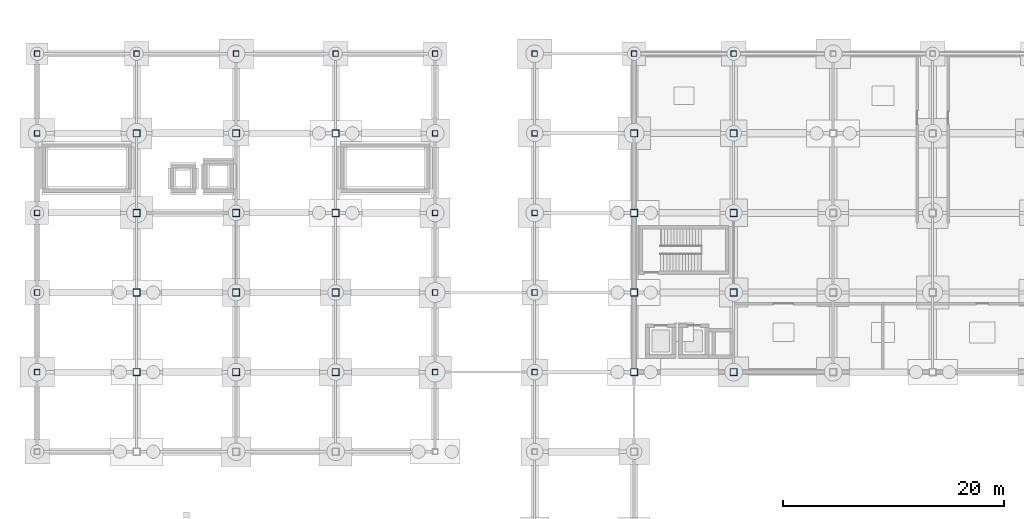
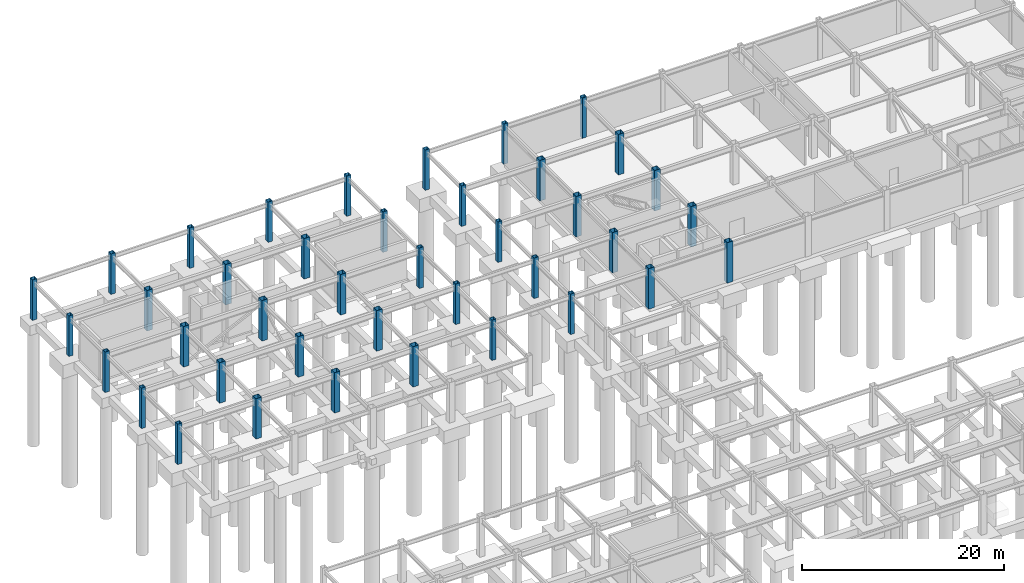
# One storey, part 14 of 28: 40 columns.
"""IFC4 building model written with IfcOpenShell, lengths in metres."""

from ifc_helpers import new_model, si_unit, direction, frame, origin, origin_2d, place, context, subcontext, project, spatial, hollow_rectangle, extrude, material, material_profile, profile_set, type_object, element, save


model = new_model("IFC4")

# Units and contexts
model_context = context("Model", 3, precision=1e-05, world=origin(), true_north=direction((0.0, 1.0)))
body_context = subcontext(model_context, "Body", "Model", "MODEL_VIEW")
ifc_project = project(units=[si_unit("LENGTHUNIT", "METRE"), si_unit("AREAUNIT", "SQUARE_METRE"), si_unit("VOLUMEUNIT", "CUBIC_METRE"), si_unit("PLANEANGLEUNIT", "RADIAN"), si_unit("MASSUNIT", "GRAM", prefix="KILO")], contexts=[model_context])

# Site, building, storey
site_placement = place(None, origin())
site = spatial("IfcSite", under=ifc_project, at=site_placement, CompositionType="ELEMENT")
building_placement = place(site_placement, origin())
building = spatial("IfcBuilding", under=site, at=building_placement, Name="Kazanami Central Library", CompositionType="ELEMENT")
storey_placement = place(building_placement, frame((0.0, 0.0, -4.89990234375)))
storey = spatial("IfcBuildingStorey", under=building, at=storey_placement, Name="B01", CompositionType="ELEMENT", Elevation=-4.89990234375)

# Columns
ifc_material = material(Name="Steel BCP325 (325 MPa)", Category="steel")
ifc_material_profile_1 = material_profile(ifc_material, hollow_rectangle(XDim=0.5, YDim=0.5, WallThickness=0.02197265625, at=origin_2d()), Name="BCP-500x500x22")
ifc_profile_set_1 = profile_set([ifc_material_profile_1], Name="Steel BCP325 (325 MPa)")
column_type_1 = type_object("IfcColumnType", Name="COL-C-P1E", PredefinedType="COLUMN", material=ifc_profile_set_1)
for number, where, z_axis, x_axis, name in (
    (1, (0.0, 64.800048828125, 0.0), (0.0, 0.0, 1.0), (1.0, 0.0, 0.0), "Column C-P1E B01 1/K"),
    (2, (0.0, 72.0, 0.0), (0.0, 0.0, 1.0), (1.0, 0.0, 0.0), "Column C-P1E B01 1/L"),
    (3, (0.0, 79.199951171875, 0.0), (0.0, 0.0, 1.0), (1.0, 0.0, 0.0), "Column C-P1E B01 1/M"),
    (4, (0.0, 86.39990234375, 0.0), (0.0, 0.0, 1.0), (1.0, 0.0, 0.0), "Column C-P1E B01 1/N"),
    (5, (0.0, 93.60009765625, 0.0), (0.0, 0.0, 1.0), (1.0, 0.0, 0.0), "Column C-P1E B01 1/O"),
    (6, (9.0, 93.60009765625, 0.0), (0.0, 0.0, 1.0), (1.0, 0.0, 0.0), "Column C-P1E B01 2/O"),
    (7, (18.0, 93.60009765625, 0.0), (0.0, 0.0, 1.0), (1.0, 0.0, 0.0), "Column C-P1E B01 3/O"),
    (8, (27.0, 93.60009765625, 0.0), (0.0, 0.0, 1.0), (1.0, 0.0, 0.0), "Column C-P1E B01 4/O"),
    (9, (36.0, 64.800048828125, 0.0), (0.0, 0.0, 1.0), (1.0, 0.0, 0.0), "Column C-P1E B01 5/K"),
    (10, (36.0, 72.0, 0.0), (0.0, 0.0, 1.0), (1.0, 0.0, 0.0), "Column C-P1E B01 5/L"),
    (11, (36.0, 79.199951171875, 0.0), (0.0, 0.0, 1.0), (1.0, 0.0, 0.0), "Column C-P1E B01 5/M"),
    (12, (36.0, 86.39990234375, 0.0), (0.0, 0.0, 1.0), (1.0, 0.0, 0.0), "Column C-P1E B01 5/N"),
    (13, (36.0, 93.60009765625, 0.0), (0.0, 0.0, 1.0), (1.0, 0.0, 0.0), "Column C-P1E B01 5/O"),
    (14, (45.0, 64.800048828125, 0.0), (0.0, 0.0, 1.0), (1.0, 0.0, 0.0), "Column C-P1E B01 6/K"),
    (15, (45.0, 72.0, 0.0), (0.0, 0.0, 1.0), (1.0, 0.0, 0.0), "Column C-P1E B01 6/L"),
    (16, (45.0, 79.199951171875, 0.0), (0.0, 0.0, 1.0), (1.0, 0.0, 0.0), "Column C-P1E B01 6/M"),
    (17, (45.0, 86.39990234375, 0.0), (0.0, 0.0, 1.0), (1.0, 0.0, 0.0), "Column C-P1E B01 6/N"),
    (18, (45.0, 93.60009765625, 0.0), (0.0, 0.0, 1.0), (1.0, 0.0, 0.0), "Column C-P1E B01 6/O"),
    (19, (54.0, 93.60009765625, 0.0), (0.0, 0.0, 1.0), (1.0, 0.0, 0.0), "Column C-P1E B01 7/O"),
    (20, (63.0, 93.60009765625, 0.0), (0.0, 0.0, 1.0), (1.0, 0.0, 0.0), "Column C-P1E B01 8/O"),
):
    element("IfcColumn", number, at=place(storey_placement, frame(where, z_axis=z_axis, x_axis=x_axis)), inside=storey, type_object=column_type_1, Name=name, PredefinedType="COLUMN", context=body_context, shape_type="SweptSolid", body=[
        extrude(hollow_rectangle(XDim=0.5, YDim=0.5, WallThickness=0.02197265625, at=origin_2d()), origin(), (0.0, 0.0, 1.0), 4.89990234375),
    ])
ifc_material_profile_2 = material_profile(ifc_material, hollow_rectangle(XDim=0.64990234375, YDim=0.64990234375, WallThickness=0.02490234375, at=origin_2d()), Name="BCP-650x650x25")
ifc_profile_set_2 = profile_set([ifc_material_profile_2], Name="Steel BCP325 (325 MPa)")
column_type_2 = type_object("IfcColumnType", Name="COL-C-P1I", PredefinedType="COLUMN", material=ifc_profile_set_2)
for number, where, z_axis, x_axis, name in (
    (21, (9.0, 64.800048828125, 0.0), (0.0, 0.0, 1.0), (1.0, 0.0, 0.0), "Column C-P1I B01 2/K"),
    (22, (9.0, 72.0, 0.0), (0.0, 0.0, 1.0), (1.0, 0.0, 0.0), "Column C-P1I B01 2/L"),
    (23, (9.0, 79.199951171875, 0.0), (0.0, 0.0, 1.0), (1.0, 0.0, 0.0), "Column C-P1I B01 2/M"),
    (24, (9.0, 86.39990234375, 0.0), (0.0, 0.0, 1.0), (1.0, 0.0, 0.0), "Column C-P1I B01 2/N"),
    (25, (18.0, 64.800048828125, 0.0), (0.0, 0.0, 1.0), (1.0, 0.0, 0.0), "Column C-P1I B01 3/K"),
    (26, (18.0, 72.0, 0.0), (0.0, 0.0, 1.0), (1.0, 0.0, 0.0), "Column C-P1I B01 3/L"),
    (27, (18.0, 79.199951171875, 0.0), (0.0, 0.0, 1.0), (1.0, 0.0, 0.0), "Column C-P1I B01 3/M"),
    (28, (18.0, 86.39990234375, 0.0), (0.0, 0.0, 1.0), (1.0, 0.0, 0.0), "Column C-P1I B01 3/N"),
    (29, (27.0, 64.800048828125, 0.0), (0.0, 0.0, 1.0), (1.0, 0.0, 0.0), "Column C-P1I B01 4/K"),
    (30, (27.0, 72.0, 0.0), (0.0, 0.0, 1.0), (1.0, 0.0, 0.0), "Column C-P1I B01 4/L"),
    (31, (27.0, 79.199951171875, 0.0), (0.0, 0.0, 1.0), (1.0, 0.0, 0.0), "Column C-P1I B01 4/M"),
    (32, (27.0, 86.39990234375, 0.0), (0.0, 0.0, 1.0), (1.0, 0.0, 0.0), "Column C-P1I B01 4/N"),
    (33, (54.0, 64.800048828125, 0.0), (0.0, 0.0, 1.0), (1.0, 0.0, 0.0), "Column C-P1I B01 7/K"),
    (34, (54.0, 72.0, 0.0), (0.0, 0.0, 1.0), (1.0, 0.0, 0.0), "Column C-P1I B01 7/L"),
    (35, (54.0, 79.199951171875, 0.0), (0.0, 0.0, 1.0), (1.0, 0.0, 0.0), "Column C-P1I B01 7/M"),
    (36, (54.0, 86.39990234375, 0.0), (0.0, 0.0, 1.0), (1.0, 0.0, 0.0), "Column C-P1I B01 7/N"),
    (37, (63.0, 64.800048828125, 0.0), (0.0, 0.0, 1.0), (1.0, 0.0, 0.0), "Column C-P1I B01 8/K"),
    (38, (63.0, 72.0, 0.0), (0.0, 0.0, 1.0), (1.0, 0.0, 0.0), "Column C-P1I B01 8/L"),
    (39, (63.0, 79.199951171875, 0.0), (0.0, 0.0, 1.0), (1.0, 0.0, 0.0), "Column C-P1I B01 8/M"),
    (40, (63.0, 86.39990234375, 0.0), (0.0, 0.0, 1.0), (1.0, 0.0, 0.0), "Column C-P1I B01 8/N"),
):
    element("IfcColumn", number, at=place(storey_placement, frame(where, z_axis=z_axis, x_axis=x_axis)), inside=storey, type_object=column_type_2, Name=name, PredefinedType="COLUMN", context=body_context, shape_type="SweptSolid", body=[
        extrude(hollow_rectangle(XDim=0.64990234375, YDim=0.64990234375, WallThickness=0.02490234375, at=origin_2d()), origin(), (0.0, 0.0, 1.0), 4.89990234375),
    ])

save(model, "model.ifc")
